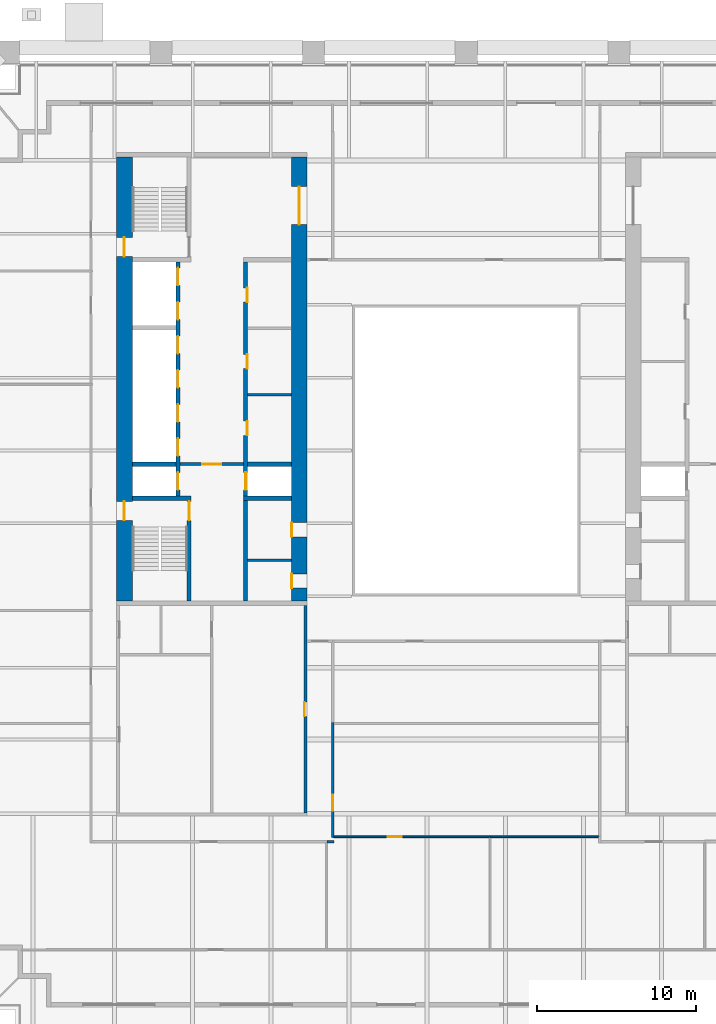
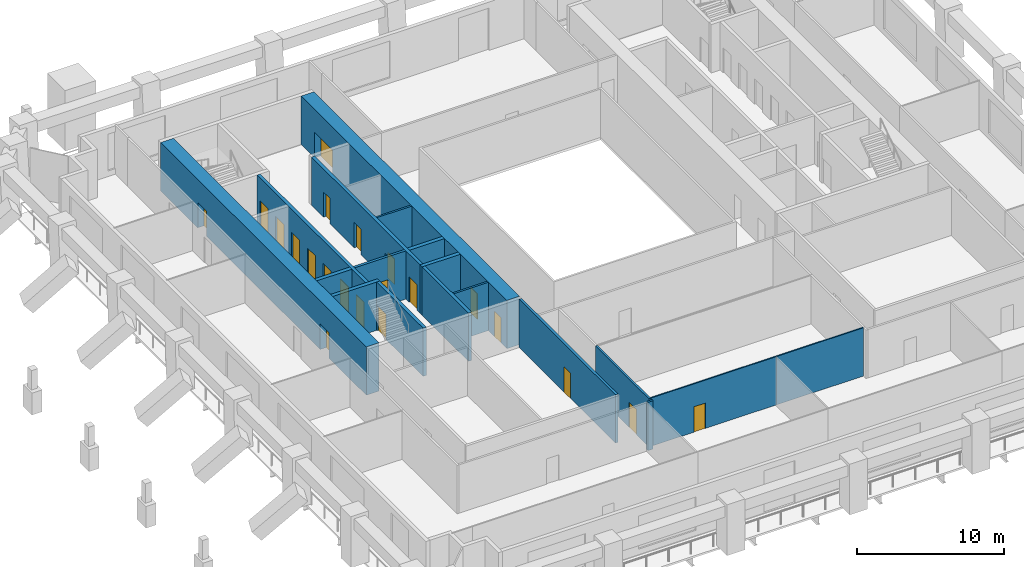
# One storey, part 4 of 10: 21 doors, 17 walls, 21 openings.
"""IFC4 building model written with IfcOpenShell, lengths in metres."""

from ifc_helpers import new_model, si_unit, direction, frame, frame_2d, origin, place, context, subcontext, project, spatial, rectangle, extrude, material, layer, layer_set, type_object, element, fill, save


model = new_model("IFC4")

# Units and contexts
model_context = context("Model", 3, precision=1e-05, world=origin(), true_north=direction((0.0, 1.0)))
body_context = subcontext(model_context, "Body", "Model", "MODEL_VIEW")
ifc_project = project(units=[si_unit("LENGTHUNIT", "METRE"), si_unit("AREAUNIT", "SQUARE_METRE"), si_unit("VOLUMEUNIT", "CUBIC_METRE"), si_unit("PLANEANGLEUNIT", "RADIAN"), si_unit("MASSUNIT", "GRAM", prefix="KILO")], contexts=[model_context])

# Site, building, storey
site_placement = place(None, origin())
site = spatial("IfcSite", under=ifc_project, at=site_placement, CompositionType="ELEMENT")
building_placement = place(site_placement, origin())
building = spatial("IfcBuilding", under=site, at=building_placement, Name="Ogive Exchange Tower", CompositionType="ELEMENT")
storey_placement = place(building_placement, frame((0.0, 0.0, 39.60009765625)))
storey = spatial("IfcBuildingStorey", under=building, at=storey_placement, Name="L07", CompositionType="ELEMENT", Elevation=39.60009765625)

# Walls
ifc_material_1 = material(Name="Gypsum board partition")
ifc_layer_1 = layer(ifc_material_1, 0.14990234375)
ifc_layer_set_1 = layer_set([ifc_layer_1], Name="Core room partition 150 gypsum")
wall_type_1 = type_object("IfcWallType", Name="Core room partition 150 gypsum", PredefinedType="PARTITIONING", material=ifc_layer_set_1)
for number, where, z_axis, x_axis, name in (
    (1, (-13.75, 10.5, 0.0), (0.0, 0.0, 1.0), (1.0, 0.0, 0.0), "W row B bay partition 1-1"),
    (2, (-13.75, 0.10009765625, 0.0), (0.0, 0.0, 1.0), (1.0, 0.0, 0.0), "W south room partition"),
):
    element("IfcWall", number, at=place(storey_placement, frame(where, z_axis=z_axis, x_axis=x_axis)), inside=storey, type_object=wall_type_1, Name=name, PredefinedType="PARTITIONING", context=body_context, shape_type="SweptSolid", body=[
        extrude(rectangle(XDim=2.75, YDim=0.14990234375, at=frame_2d((1.375, 0.0))), origin(), (0.0, 0.0, 1.0), 4.0),
    ])
ifc_material_2 = material(Name="Fire partition EI 60 150")
ifc_layer_2 = layer(ifc_material_2, 0.14990234375)
ifc_layer_set_2 = layer_set([ifc_layer_2], Name="Fire partition EI 60 150")
wall_type_2 = type_object("IfcWallType", Name="Fire partition EI 60 150", PredefinedType="PARTITIONING", material=ifc_layer_set_2)
wall_1_placement = place(storey_placement, frame((-8.324951171875, -17.60009765625, 0.0), z_axis=(0.0, 0.0, 1.0), x_axis=(-1.0, 0.0, 0.0)))
element("IfcWall", 3, at=wall_1_placement, inside=storey, type_object=wall_type_2, Name="L07-PWL-017", PredefinedType="PARTITIONING", context=body_context, shape_type="SweptSolid", body=[
    extrude(rectangle(XDim=0.425048828125, YDim=0.14990234375, at=frame_2d((0.21240234375, 0.0))), origin(), (0.0, 0.0, 1.0), 4.0),
])

# Wall, opening, door
wall_2_placement = place(storey_placement, frame((-8.39990234375, -10.1201171875, 0.0), z_axis=(0.0, 0.0, 1.0), x_axis=(0.0, -1.0, 0.0)))
wall_2 = element("IfcWall", 4, at=wall_2_placement, inside=storey, type_object=wall_type_2, Name="L07-PWL-018", PredefinedType="PARTITIONING", context=body_context, shape_type="SweptSolid", body=[
    extrude(rectangle(XDim=7.219970703125, YDim=0.14990234375, at=frame_2d((3.60986328125, 0.0))), origin(), (0.0, 0.0, 1.0), 4.0),
])
opening_1_placement = place(wall_2_placement, frame((4.52001953125, 0.0, 0.0)))
opening_1 = element("IfcOpeningElement", 5, at=opening_1_placement, cuts=wall_2, Name="Opening L07-I12", PredefinedType="OPENING", context=body_context, shape_type="SweptSolid", body=[
    extrude(rectangle(XDim=1.0, YDim=2.10009765625, at=frame_2d((0.5, 1.050048828125))), frame((0.0, 0.0849609375, 0.0), z_axis=(0.0, -1.0, 0.0), x_axis=(1.0, 0.0, 0.0)), (0.0, 0.0, 1.0), 0.169921875),
])
ifc_material_3 = material(Name="Fire door FD 30S 1000 x 2100")
door_type_1 = type_object("IfcDoorType", Name="Fire door FD 30S 1000 x 2100", OperationType="NOTDEFINED", PredefinedType="DOOR", material=ifc_material_3)
door_1_placement = place(opening_1_placement, origin())
door_1 = element("IfcDoor", 6, at=door_1_placement, inside=storey, type_object=door_type_1, Name="L07-IDR-012", ObjectType="DT3", OperationType="SINGLE_SWING_LEFT", OverallHeight=2.10009765625, OverallWidth=1.0, PredefinedType="DOOR", context=body_context, shape_type="SweptSolid", body=[
    extrude(rectangle(XDim=1.0, YDim=2.10009765625, at=frame_2d((0.5, 1.050048828125))), frame((0.0, 0.02490234375, 0.0), z_axis=(0.0, -1.0, 0.0), x_axis=(1.0, 0.0, 0.0)), (0.0, 0.0, 1.0), 0.050048828125),
])
fill(opening_1, door_1)

ifc_material_4 = material(Name="Partition 100 gypsum")
ifc_layer_3 = layer(ifc_material_4, 0.10009765625)
ifc_layer_set_3 = layer_set([ifc_layer_3], Name="Partition 100 gypsum")
wall_type_3 = type_object("IfcWallType", Name="Partition 100 gypsum", PredefinedType="PARTITIONING", material=ifc_layer_set_3)
wall_3_placement = place(storey_placement, frame((1.550048828125, -17.2900390625, 0.0), z_axis=(0.0, 0.0, 1.0), x_axis=(-1.0, 0.0, 0.0)))
wall_3 = element("IfcWall", 7, at=wall_3_placement, inside=storey, type_object=wall_type_3, Name="L07-PWL-023", PredefinedType="PARTITIONING", context=body_context, shape_type="SweptSolid", body=[
    extrude(rectangle(XDim=9.875, YDim=0.10009765625, at=frame_2d((4.9375, 0.0))), origin(), (0.0, 0.0, 1.0), 4.0),
])
opening_2_placement = place(wall_3_placement, frame((5.60009765625, 0.0, 0.0)))
opening_2 = element("IfcOpeningElement", 8, at=opening_2_placement, cuts=wall_3, Name="Opening L07-I13", PredefinedType="OPENING", context=body_context, shape_type="SweptSolid", body=[
    extrude(rectangle(XDim=0.89990234375, YDim=2.10009765625, at=frame_2d((0.449951171875, 1.050048828125))), frame((0.0, 0.06005859375, 0.0), z_axis=(0.0, -1.0, 0.0), x_axis=(1.0, 0.0, 0.0)), (0.0, 0.0, 1.0), 0.1201171875),
])
ifc_material_5 = material(Name="Door 900 x 2100")
door_type_2 = type_object("IfcDoorType", Name="Door 900 x 2100", OperationType="NOTDEFINED", PredefinedType="DOOR", material=ifc_material_5)
door_2_placement = place(opening_2_placement, origin())
door_2 = element("IfcDoor", 9, at=door_2_placement, inside=storey, type_object=door_type_2, Name="L07-IDR-013", ObjectType="DT1", OperationType="SINGLE_SWING_RIGHT", OverallHeight=2.10009765625, OverallWidth=0.89990234375, PredefinedType="DOOR", context=body_context, shape_type="SweptSolid", body=[
    extrude(rectangle(XDim=0.89990234375, YDim=2.10009765625, at=frame_2d((0.449951171875, 1.050048828125))), frame((0.0, 0.02490234375, 0.0), z_axis=(0.0, -1.0, 0.0), x_axis=(1.0, 0.0, 0.0)), (0.0, 0.0, 1.0), 0.050048828125),
])
fill(opening_2, door_2)

# Wall
wall_4_placement = place(storey_placement, frame((8.324951171875, -17.2900390625, 0.0), z_axis=(0.0, 0.0, 1.0), x_axis=(-1.0, 0.0, 0.0)))
element("IfcWall", 10, at=wall_4_placement, inside=storey, type_object=wall_type_3, Name="L07-PWL-026", PredefinedType="PARTITIONING", context=body_context, shape_type="SweptSolid", body=[
    extrude(rectangle(XDim=6.824951171875, YDim=0.10009765625, at=frame_2d((3.41259765625, 0.0))), origin(), (0.0, 0.0, 1.0), 4.0),
])

# Wall, openings, doors
ifc_material_6 = material(Name="Concrete C70/85", Category="concrete")
ifc_layer_4 = layer(ifc_material_6, 1.0)
ifc_layer_set_4 = layer_set([ifc_layer_4], Name="RC core wall 1000 C70/85")
wall_type_4 = type_object("IfcWallType", Name="RC core wall 1000 C70/85", PredefinedType="SHEAR", material=ifc_layer_set_4)
wall_5_placement = place(storey_placement, frame((-21.5, -2.449951171875, 0.0), z_axis=(0.0, 0.0, 1.0), x_axis=(0.0, 1.0, 0.0)))
wall_5 = element("IfcWall", 11, at=wall_5_placement, inside=storey, type_object=wall_type_4, Name="W outer wall", PredefinedType="SHEAR", context=body_context, shape_type="SweptSolid", body=[
    extrude(rectangle(XDim=27.89990234375, YDim=1.0, at=frame_2d((13.949951171875, 0.0))), origin(), (0.0, 0.0, 1.0), 4.0),
])
opening_3_placement = place(wall_5_placement, frame((5.050048828125, 0.0, 0.0)))
opening_3 = element("IfcOpeningElement", 12, at=opening_3_placement, cuts=wall_5, Name="Opening L07-C15", PredefinedType="OPENING", context=body_context, shape_type="SweptSolid", body=[
    extrude(rectangle(XDim=1.199951171875, YDim=2.10009765625, at=frame_2d((0.60009765625, 1.050048828125))), frame((0.0, 0.510009765625, 0.0), z_axis=(0.0, -1.0, 0.0), x_axis=(1.0, 0.0, 0.0)), (0.0, 0.0, 1.0), 1.02001953125),
])
opening_4_placement = place(wall_5_placement, frame((21.64990234375, 0.0, 0.0)))
opening_4 = element("IfcOpeningElement", 13, at=opening_4_placement, cuts=wall_5, Name="Opening L07-C17", PredefinedType="OPENING", context=body_context, shape_type="SweptSolid", body=[
    extrude(rectangle(XDim=1.199951171875, YDim=2.10009765625, at=frame_2d((0.60009765625, 1.050048828125))), frame((0.0, 0.510009765625, 0.0), z_axis=(0.0, -1.0, 0.0), x_axis=(1.0, 0.0, 0.0)), (0.0, 0.0, 1.0), 1.02001953125),
])
ifc_material_7 = material(Name="Steel fire door", Category="steel")
door_type_3 = type_object("IfcDoorType", Name="Stair door FD90 1200 x 2100", OperationType="NOTDEFINED", PredefinedType="DOOR", material=ifc_material_7)
door_3_placement = place(opening_3_placement, frame((1.199951171875, 0.0, 0.0), z_axis=(0.0, 0.0, 1.0), x_axis=(-1.0, 0.0, 0.0)))
door_3 = element("IfcDoor", 14, at=door_3_placement, inside=storey, type_object=door_type_3, Name="Stair door", ObjectType="CD5", OperationType="SINGLE_SWING_RIGHT", OverallHeight=2.10009765625, OverallWidth=1.199951171875, PredefinedType="DOOR", context=body_context, shape_type="SweptSolid", body=[
    extrude(rectangle(XDim=1.199951171875, YDim=2.10009765625, at=frame_2d((0.60009765625, 1.050048828125))), frame((0.0, 0.02490234375, 0.0), z_axis=(0.0, -1.0, 0.0), x_axis=(1.0, 0.0, 0.0)), (0.0, 0.0, 1.0), 0.050048828125),
])
fill(opening_3, door_3)
door_4_placement = place(opening_4_placement, frame((1.199951171875, 0.0, 0.0), z_axis=(0.0, 0.0, 1.0), x_axis=(-1.0, 0.0, 0.0)))
door_4 = element("IfcDoor", 15, at=door_4_placement, inside=storey, type_object=door_type_3, Name="Stair door", ObjectType="CD5", OperationType="SINGLE_SWING_LEFT", OverallHeight=2.10009765625, OverallWidth=1.199951171875, PredefinedType="DOOR", context=body_context, shape_type="SweptSolid", body=[
    extrude(rectangle(XDim=1.199951171875, YDim=2.10009765625, at=frame_2d((0.60009765625, 1.050048828125))), frame((0.0, 0.02490234375, 0.0), z_axis=(0.0, -1.0, 0.0), x_axis=(1.0, 0.0, 0.0)), (0.0, 0.0, 1.0), 0.050048828125),
])
fill(opening_4, door_4)

wall_6_placement = place(storey_placement, frame((-10.5, -2.449951171875, 0.0), z_axis=(0.0, 0.0, 1.0), x_axis=(0.0, 1.0, 0.0)))
wall_6 = element("IfcWall", 16, at=wall_6_placement, inside=storey, type_object=wall_type_4, Name="W inner wall", PredefinedType="SHEAR", context=body_context, shape_type="SweptSolid", body=[
    extrude(rectangle(XDim=27.89990234375, YDim=1.0, at=frame_2d((13.949951171875, 0.0))), origin(), (0.0, 0.0, 1.0), 4.0),
])
opening_5_placement = place(wall_6_placement, frame((23.64990234375, 0.0, 0.0)))
opening_5 = element("IfcOpeningElement", 17, at=opening_5_placement, cuts=wall_6, Name="Opening L07-C13", PredefinedType="OPENING", context=body_context, shape_type="SweptSolid", body=[
    extrude(rectangle(XDim=2.39990234375, YDim=2.10009765625, at=frame_2d((1.199951171875, 1.050048828125))), frame((0.0, 0.510009765625, 0.0), z_axis=(0.0, -1.0, 0.0), x_axis=(1.0, 0.0, 0.0)), (0.0, 0.0, 1.0), 1.02001953125),
])
opening_6_placement = place(wall_6_placement, frame((0.78759765625, 0.0, 0.0)))
opening_6 = element("IfcOpeningElement", 18, at=opening_6_placement, cuts=wall_6, Name="Opening L07-C18", PredefinedType="OPENING", context=body_context, shape_type="SweptSolid", body=[
    extrude(rectangle(XDim=0.89990234375, YDim=2.10009765625, at=frame_2d((0.449951171875, 1.050048828125))), frame((0.0, 0.510009765625, 0.0), z_axis=(0.0, -1.0, 0.0), x_axis=(1.0, 0.0, 0.0)), (0.0, 0.0, 1.0), 1.02001953125),
])
opening_7_placement = place(wall_6_placement, frame((4.012451171875, 0.0, 0.0)))
opening_7 = element("IfcOpeningElement", 19, at=opening_7_placement, cuts=wall_6, Name="Opening L07-C19", PredefinedType="OPENING", context=body_context, shape_type="SweptSolid", body=[
    extrude(rectangle(XDim=0.89990234375, YDim=2.10009765625, at=frame_2d((0.449951171875, 1.050048828125))), frame((0.0, 0.510009765625, 0.0), z_axis=(0.0, -1.0, 0.0), x_axis=(1.0, 0.0, 0.0)), (0.0, 0.0, 1.0), 1.02001953125),
])
ifc_material_8 = material(Name="Timber fire door", Category="wood")
door_type_4 = type_object("IfcDoorType", Name="Core room door FD30S 900 x 2100", OperationType="NOTDEFINED", PredefinedType="DOOR", material=ifc_material_8)
door_5_placement = place(opening_6_placement, origin())
door_5 = element("IfcDoor", 20, at=door_5_placement, inside=storey, type_object=door_type_4, Name="Core room door", ObjectType="CD6", OperationType="SINGLE_SWING_RIGHT", OverallHeight=2.10009765625, OverallWidth=0.89990234375, PredefinedType="DOOR", context=body_context, shape_type="SweptSolid", body=[
    extrude(rectangle(XDim=0.89990234375, YDim=2.10009765625, at=frame_2d((0.449951171875, 1.050048828125))), frame((0.0, 0.5, 0.0), z_axis=(0.0, -1.0, 0.0), x_axis=(1.0, 0.0, 0.0)), (0.0, 0.0, 1.0), 0.050048828125),
])
fill(opening_6, door_5)
ifc_material_9 = material(Name="Glazed steel fire door", Category="steel")
door_type_5 = type_object("IfcDoorType", Name="Lift lobby double door FD60 2400 x 2100", OperationType="DOUBLE_DOOR_SINGLE_SWING", PredefinedType="DOOR", material=ifc_material_9)
door_6_placement = place(opening_5_placement, origin())
door_6 = element("IfcDoor", 21, at=door_6_placement, inside=storey, type_object=door_type_5, Name="Lift lobby double door", ObjectType="CD4", OperationType="DOUBLE_DOOR_SINGLE_SWING", OverallHeight=2.10009765625, OverallWidth=2.39990234375, PredefinedType="DOOR", context=body_context, shape_type="SweptSolid", body=[
    extrude(rectangle(XDim=2.39990234375, YDim=2.10009765625, at=frame_2d((1.199951171875, 1.050048828125))), frame((0.0, 0.02490234375, 0.0), z_axis=(0.0, -1.0, 0.0), x_axis=(1.0, 0.0, 0.0)), (0.0, 0.0, 1.0), 0.050048828125),
])
fill(opening_5, door_6)
door_type_6 = type_object("IfcDoorType", Name="Riser door FD60 900 x 2100", OperationType="NOTDEFINED", PredefinedType="DOOR", material=ifc_material_7)
door_7_placement = place(opening_7_placement, origin())
door_7 = element("IfcDoor", 22, at=door_7_placement, inside=storey, type_object=door_type_6, Name="Riser door", ObjectType="CD2", OperationType="SINGLE_SWING_RIGHT", OverallHeight=2.10009765625, OverallWidth=0.89990234375, PredefinedType="DOOR", context=body_context, shape_type="SweptSolid", body=[
    extrude(rectangle(XDim=0.89990234375, YDim=2.10009765625, at=frame_2d((0.449951171875, 1.050048828125))), frame((0.0, 0.5, 0.0), z_axis=(0.0, -1.0, 0.0), x_axis=(1.0, 0.0, 0.0)), (0.0, 0.0, 1.0), 0.050048828125),
])
fill(opening_7, door_7)

# Wall, opening, door
ifc_layer_5 = layer(ifc_material_6, 0.199951171875)
ifc_layer_set_5 = layer_set([ifc_layer_5], Name="RC core wall 200 C70/85")
wall_type_5 = type_object("IfcWallType", Name="RC core wall 200 C70/85", PredefinedType="SHEAR", material=ifc_layer_set_5)
wall_7_placement = place(storey_placement, frame((-18.0, 6.142822265625, 0.0), z_axis=(0.0, 0.0, 1.0), x_axis=(1.0, 0.0, 0.0)))
wall_7 = element("IfcWall", 23, at=wall_7_placement, inside=storey, type_object=wall_type_5, Name="W firefighting lobby wall", PredefinedType="SHEAR", context=body_context, shape_type="SweptSolid", body=[
    extrude(rectangle(XDim=4.0, YDim=0.199951171875, at=frame_2d((2.0, 0.0))), origin(), (0.0, 0.0, 1.0), 4.0),
])
opening_8_placement = place(wall_7_placement, frame((1.39990234375, 0.0, 0.0)))
opening_8 = element("IfcOpeningElement", 24, at=opening_8_placement, cuts=wall_7, Name="Opening L07-C12", PredefinedType="OPENING", context=body_context, shape_type="SweptSolid", body=[
    extrude(rectangle(XDim=1.199951171875, YDim=2.10009765625, at=frame_2d((0.60009765625, 1.050048828125))), frame((0.0, 0.10986328125, 0.0), z_axis=(0.0, -1.0, 0.0), x_axis=(1.0, 0.0, 0.0)), (0.0, 0.0, 1.0), 0.219970703125),
])
door_type_7 = type_object("IfcDoorType", Name="Firefighting lobby door FD60 1200 x 2100", OperationType="NOTDEFINED", PredefinedType="DOOR", material=ifc_material_7)
door_8_placement = place(opening_8_placement, frame((1.199951171875, 0.0, 0.0), z_axis=(0.0, 0.0, 1.0), x_axis=(-1.0, 0.0, 0.0)))
door_8 = element("IfcDoor", 25, at=door_8_placement, inside=storey, type_object=door_type_7, Name="Firefighting lobby door", ObjectType="CD3", OperationType="SINGLE_SWING_LEFT", OverallHeight=2.10009765625, OverallWidth=1.199951171875, PredefinedType="DOOR", context=body_context, shape_type="SweptSolid", body=[
    extrude(rectangle(XDim=1.199951171875, YDim=2.10009765625, at=frame_2d((0.60009765625, 1.050048828125))), frame((0.0, 0.02490234375, 0.0), z_axis=(0.0, -1.0, 0.0), x_axis=(1.0, 0.0, 0.0)), (0.0, 0.0, 1.0), 0.050048828125),
])
fill(opening_8, door_8)

wall_8_placement = place(storey_placement, frame((-10.10009765625, -15.800048828125, 0.0), z_axis=(0.0, 0.0, 1.0), x_axis=(0.0, 1.0, 0.0)))
wall_8 = element("IfcWall", 26, at=wall_8_placement, inside=storey, type_object=wall_type_5, Name="W annex S inner wall", PredefinedType="SHEAR", context=body_context, shape_type="SweptSolid", body=[
    extrude(rectangle(XDim=13.050048828125, YDim=0.199951171875, at=frame_2d((6.52490234375, 0.0))), origin(), (0.0, 0.0, 1.0), 4.0),
])
opening_9_placement = place(wall_8_placement, frame((6.074951171875, 0.0, 0.0)))
opening_9 = element("IfcOpeningElement", 27, at=opening_9_placement, cuts=wall_8, Name="Opening L07-C23", PredefinedType="OPENING", context=body_context, shape_type="SweptSolid", body=[
    extrude(rectangle(XDim=0.89990234375, YDim=2.10009765625, at=frame_2d((0.449951171875, 1.050048828125))), frame((0.0, 0.10986328125, 0.0), z_axis=(0.0, -1.0, 0.0), x_axis=(1.0, 0.0, 0.0)), (0.0, 0.0, 1.0), 0.219970703125),
])
door_9_placement = place(opening_9_placement, origin())
door_9 = element("IfcDoor", 28, at=door_9_placement, inside=storey, type_object=door_type_6, Name="Riser door", ObjectType="CD2", OperationType="SINGLE_SWING_LEFT", OverallHeight=2.10009765625, OverallWidth=0.89990234375, PredefinedType="DOOR", context=body_context, shape_type="SweptSolid", body=[
    extrude(rectangle(XDim=0.89990234375, YDim=2.10009765625, at=frame_2d((0.449951171875, 1.050048828125))), frame((0.0, 0.10009765625, 0.0), z_axis=(0.0, -1.0, 0.0), x_axis=(1.0, 0.0, 0.0)), (0.0, 0.0, 1.0), 0.050048828125),
])
fill(opening_9, door_9)

ifc_layer_6 = layer(ifc_material_6, 0.25)
ifc_layer_set_6 = layer_set([ifc_layer_6], Name="RC core wall 250 C70/85")
wall_type_6 = type_object("IfcWallType", Name="RC core wall 250 C70/85", PredefinedType="SHEAR", material=ifc_layer_set_6)
wall_9_placement = place(storey_placement, frame((-17.425048828125, -2.449951171875, 0.0), z_axis=(0.0, 0.0, 1.0), x_axis=(0.0, 1.0, 0.0)))
wall_9 = element("IfcWall", 29, at=wall_9_placement, inside=storey, type_object=wall_type_6, Name="W stair S front wall", PredefinedType="SHEAR", context=body_context, shape_type="SweptSolid", body=[
    extrude(rectangle(XDim=6.300048828125, YDim=0.25, at=frame_2d((3.14990234375, 0.0))), origin(), (0.0, 0.0, 1.0), 4.0),
])
opening_10_placement = place(wall_9_placement, frame((5.050048828125, 0.0, 0.0)))
opening_10 = element("IfcOpeningElement", 30, at=opening_10_placement, cuts=wall_9, Name="Opening L07-C14", PredefinedType="OPENING", context=body_context, shape_type="SweptSolid", body=[
    extrude(rectangle(XDim=1.199951171875, YDim=2.10009765625, at=frame_2d((0.60009765625, 1.050048828125))), frame((0.0, 0.135009765625, 0.0), z_axis=(0.0, -1.0, 0.0), x_axis=(1.0, 0.0, 0.0)), (0.0, 0.0, 1.0), 0.27001953125),
])
door_10_placement = place(opening_10_placement, origin())
door_10 = element("IfcDoor", 31, at=door_10_placement, inside=storey, type_object=door_type_3, Name="Stair door", ObjectType="CD5", OperationType="SINGLE_SWING_LEFT", OverallHeight=2.10009765625, OverallWidth=1.199951171875, PredefinedType="DOOR", context=body_context, shape_type="SweptSolid", body=[
    extrude(rectangle(XDim=1.199951171875, YDim=2.10009765625, at=frame_2d((0.60009765625, 1.050048828125))), frame((0.0, 0.02490234375, 0.0), z_axis=(0.0, -1.0, 0.0), x_axis=(1.0, 0.0, 0.0)), (0.0, 0.0, 1.0), 0.050048828125),
])
fill(opening_10, door_10)

# Wall, openings, doors
wall_10_placement = place(storey_placement, frame((-18.125, 4.14990234375, 0.0), z_axis=(0.0, 0.0, 1.0), x_axis=(0.0, 1.0, 0.0)))
wall_10 = element("IfcWall", 32, at=wall_10_placement, inside=storey, type_object=wall_type_6, Name="W row A front wall", PredefinedType="SHEAR", context=body_context, shape_type="SweptSolid", body=[
    extrude(rectangle(XDim=14.7001953125, YDim=0.25, at=frame_2d((7.35009765625, 0.0))), origin(), (0.0, 0.0, 1.0), 4.0),
])
opening_11_placement = place(wall_10_placement, frame((0.371337890625, 0.0, 0.0)))
opening_11 = element("IfcOpeningElement", 33, at=opening_11_placement, cuts=wall_10, Name="Opening L07-C01", PredefinedType="OPENING", context=body_context, shape_type="SweptSolid", body=[
    extrude(rectangle(XDim=1.10009765625, YDim=2.10009765625, at=frame_2d((0.550048828125, 1.050048828125))), frame((0.0, 0.135009765625, 0.0), z_axis=(0.0, -1.0, 0.0), x_axis=(1.0, 0.0, 0.0)), (0.0, 0.0, 1.0), 0.27001953125),
])
opening_12_placement = place(wall_10_placement, frame((2.514404296875, 0.0, 0.0)))
opening_12 = element("IfcOpeningElement", 34, at=opening_12_placement, cuts=wall_10, Name="Opening L07-C02", PredefinedType="OPENING", context=body_context, shape_type="SweptSolid", body=[
    extrude(rectangle(XDim=1.10009765625, YDim=2.10009765625, at=frame_2d((0.550048828125, 1.050048828125))), frame((0.0, 0.135009765625, 0.0), z_axis=(0.0, -1.0, 0.0), x_axis=(1.0, 0.0, 0.0)), (0.0, 0.0, 1.0), 0.27001953125),
])
opening_13_placement = place(wall_10_placement, frame((4.656982421875, 0.0, 0.0)))
opening_13 = element("IfcOpeningElement", 35, at=opening_13_placement, cuts=wall_10, Name="Opening L07-C03", PredefinedType="OPENING", context=body_context, shape_type="SweptSolid", body=[
    extrude(rectangle(XDim=1.10009765625, YDim=2.10009765625, at=frame_2d((0.550048828125, 1.050048828125))), frame((0.0, 0.135009765625, 0.0), z_axis=(0.0, -1.0, 0.0), x_axis=(1.0, 0.0, 0.0)), (0.0, 0.0, 1.0), 0.27001953125),
])
opening_14_placement = place(wall_10_placement, frame((6.800048828125, 0.0, 0.0)))
opening_14 = element("IfcOpeningElement", 36, at=opening_14_placement, cuts=wall_10, Name="Opening L07-C04", PredefinedType="OPENING", context=body_context, shape_type="SweptSolid", body=[
    extrude(rectangle(XDim=1.10009765625, YDim=2.10009765625, at=frame_2d((0.550048828125, 1.050048828125))), frame((0.0, 0.135009765625, 0.0), z_axis=(0.0, -1.0, 0.0), x_axis=(1.0, 0.0, 0.0)), (0.0, 0.0, 1.0), 0.27001953125),
])
opening_15_placement = place(wall_10_placement, frame((8.94287109375, 0.0, 0.0)))
opening_15 = element("IfcOpeningElement", 37, at=opening_15_placement, cuts=wall_10, Name="Opening L07-C05", PredefinedType="OPENING", context=body_context, shape_type="SweptSolid", body=[
    extrude(rectangle(XDim=1.10009765625, YDim=2.10009765625, at=frame_2d((0.550048828125, 1.050048828125))), frame((0.0, 0.135009765625, 0.0), z_axis=(0.0, -1.0, 0.0), x_axis=(1.0, 0.0, 0.0)), (0.0, 0.0, 1.0), 0.27001953125),
])
opening_16_placement = place(wall_10_placement, frame((11.085693359375, 0.0, 0.0)))
opening_16 = element("IfcOpeningElement", 38, at=opening_16_placement, cuts=wall_10, Name="Opening L07-C06", PredefinedType="OPENING", context=body_context, shape_type="SweptSolid", body=[
    extrude(rectangle(XDim=1.10009765625, YDim=2.10009765625, at=frame_2d((0.550048828125, 1.050048828125))), frame((0.0, 0.135009765625, 0.0), z_axis=(0.0, -1.0, 0.0), x_axis=(1.0, 0.0, 0.0)), (0.0, 0.0, 1.0), 0.27001953125),
])
opening_17_placement = place(wall_10_placement, frame((13.228515625, 0.0, 0.0)))
opening_17 = element("IfcOpeningElement", 39, at=opening_17_placement, cuts=wall_10, Name="Opening L07-C07", PredefinedType="OPENING", context=body_context, shape_type="SweptSolid", body=[
    extrude(rectangle(XDim=1.10009765625, YDim=2.10009765625, at=frame_2d((0.550048828125, 1.050048828125))), frame((0.0, 0.135009765625, 0.0), z_axis=(0.0, -1.0, 0.0), x_axis=(1.0, 0.0, 0.0)), (0.0, 0.0, 1.0), 0.27001953125),
])
ifc_material_10 = material(Name="Stainless steel", Category="steel")
door_type_8 = type_object("IfcDoorType", Name="Lift landing door FD90 1100 x 2100", OperationType="SLIDING_TO_LEFT", PredefinedType="DOOR", material=ifc_material_10)
door_11_placement = place(opening_11_placement, origin())
door_11 = element("IfcDoor", 40, at=door_11_placement, inside=storey, type_object=door_type_8, Name="Lift landing door FF1", ObjectType="LD", OperationType="SLIDING_TO_LEFT", OverallHeight=2.10009765625, OverallWidth=1.10009765625, PredefinedType="DOOR", context=body_context, shape_type="SweptSolid", body=[
    extrude(rectangle(XDim=1.10009765625, YDim=2.10009765625, at=frame_2d((0.550048828125, 1.050048828125))), frame((0.0, 0.02490234375, 0.0), z_axis=(0.0, -1.0, 0.0), x_axis=(1.0, 0.0, 0.0)), (0.0, 0.0, 1.0), 0.050048828125),
])
fill(opening_11, door_11)
door_12_placement = place(opening_12_placement, origin())
door_12 = element("IfcDoor", 41, at=door_12_placement, inside=storey, type_object=door_type_8, Name="Lift landing door W-L1", ObjectType="LD", OperationType="SLIDING_TO_LEFT", OverallHeight=2.10009765625, OverallWidth=1.10009765625, PredefinedType="DOOR", context=body_context, shape_type="SweptSolid", body=[
    extrude(rectangle(XDim=1.10009765625, YDim=2.10009765625, at=frame_2d((0.550048828125, 1.050048828125))), frame((0.0, 0.02490234375, 0.0), z_axis=(0.0, -1.0, 0.0), x_axis=(1.0, 0.0, 0.0)), (0.0, 0.0, 1.0), 0.050048828125),
])
fill(opening_12, door_12)
door_13_placement = place(opening_13_placement, origin())
door_13 = element("IfcDoor", 42, at=door_13_placement, inside=storey, type_object=door_type_8, Name="Lift landing door W-L2", ObjectType="LD", OperationType="SLIDING_TO_LEFT", OverallHeight=2.10009765625, OverallWidth=1.10009765625, PredefinedType="DOOR", context=body_context, shape_type="SweptSolid", body=[
    extrude(rectangle(XDim=1.10009765625, YDim=2.10009765625, at=frame_2d((0.550048828125, 1.050048828125))), frame((0.0, 0.02490234375, 0.0), z_axis=(0.0, -1.0, 0.0), x_axis=(1.0, 0.0, 0.0)), (0.0, 0.0, 1.0), 0.050048828125),
])
fill(opening_13, door_13)
door_14_placement = place(opening_14_placement, origin())
door_14 = element("IfcDoor", 43, at=door_14_placement, inside=storey, type_object=door_type_8, Name="Lift landing door W-L3", ObjectType="LD", OperationType="SLIDING_TO_LEFT", OverallHeight=2.10009765625, OverallWidth=1.10009765625, PredefinedType="DOOR", context=body_context, shape_type="SweptSolid", body=[
    extrude(rectangle(XDim=1.10009765625, YDim=2.10009765625, at=frame_2d((0.550048828125, 1.050048828125))), frame((0.0, 0.02490234375, 0.0), z_axis=(0.0, -1.0, 0.0), x_axis=(1.0, 0.0, 0.0)), (0.0, 0.0, 1.0), 0.050048828125),
])
fill(opening_14, door_14)
door_15_placement = place(opening_15_placement, origin())
door_15 = element("IfcDoor", 44, at=door_15_placement, inside=storey, type_object=door_type_8, Name="Lift landing door W-L4", ObjectType="LD", OperationType="SLIDING_TO_LEFT", OverallHeight=2.10009765625, OverallWidth=1.10009765625, PredefinedType="DOOR", context=body_context, shape_type="SweptSolid", body=[
    extrude(rectangle(XDim=1.10009765625, YDim=2.10009765625, at=frame_2d((0.550048828125, 1.050048828125))), frame((0.0, 0.02490234375, 0.0), z_axis=(0.0, -1.0, 0.0), x_axis=(1.0, 0.0, 0.0)), (0.0, 0.0, 1.0), 0.050048828125),
])
fill(opening_15, door_15)
door_16_placement = place(opening_16_placement, origin())
door_16 = element("IfcDoor", 45, at=door_16_placement, inside=storey, type_object=door_type_8, Name="Lift landing door W-SH1", ObjectType="LD", OperationType="SLIDING_TO_LEFT", OverallHeight=2.10009765625, OverallWidth=1.10009765625, PredefinedType="DOOR", context=body_context, shape_type="SweptSolid", body=[
    extrude(rectangle(XDim=1.10009765625, YDim=2.10009765625, at=frame_2d((0.550048828125, 1.050048828125))), frame((0.0, 0.02490234375, 0.0), z_axis=(0.0, -1.0, 0.0), x_axis=(1.0, 0.0, 0.0)), (0.0, 0.0, 1.0), 0.050048828125),
])
fill(opening_16, door_16)
door_17_placement = place(opening_17_placement, origin())
door_17 = element("IfcDoor", 46, at=door_17_placement, inside=storey, type_object=door_type_8, Name="Lift landing door W-SH2", ObjectType="LD", OperationType="SLIDING_TO_LEFT", OverallHeight=2.10009765625, OverallWidth=1.10009765625, PredefinedType="DOOR", context=body_context, shape_type="SweptSolid", body=[
    extrude(rectangle(XDim=1.10009765625, YDim=2.10009765625, at=frame_2d((0.550048828125, 1.050048828125))), frame((0.0, 0.02490234375, 0.0), z_axis=(0.0, -1.0, 0.0), x_axis=(1.0, 0.0, 0.0)), (0.0, 0.0, 1.0), 0.050048828125),
])
fill(opening_17, door_17)

wall_11_placement = place(storey_placement, frame((-13.875, -2.449951171875, 0.0), z_axis=(0.0, 0.0, 1.0), x_axis=(0.0, 1.0, 0.0)))
wall_11 = element("IfcWall", 47, at=wall_11_placement, inside=storey, type_object=wall_type_6, Name="W row B front wall", PredefinedType="SHEAR", context=body_context, shape_type="SweptSolid", body=[
    extrude(rectangle(XDim=21.300048828125, YDim=0.25, at=frame_2d((10.64990234375, 0.0))), origin(), (0.0, 0.0, 1.0), 4.0),
])
opening_18_placement = place(wall_11_placement, frame((10.396484375, 0.0, 0.0)))
opening_18 = element("IfcOpeningElement", 48, at=opening_18_placement, cuts=wall_11, Name="Opening L07-C08", PredefinedType="OPENING", context=body_context, shape_type="SweptSolid", body=[
    extrude(rectangle(XDim=0.89990234375, YDim=2.10009765625, at=frame_2d((0.449951171875, 1.050048828125))), frame((0.0, 0.135009765625, 0.0), z_axis=(0.0, -1.0, 0.0), x_axis=(1.0, 0.0, 0.0)), (0.0, 0.0, 1.0), 0.27001953125),
])
opening_19_placement = place(wall_11_placement, frame((14.60009765625, 0.0, 0.0)))
opening_19 = element("IfcOpeningElement", 49, at=opening_19_placement, cuts=wall_11, Name="Opening L07-C09", PredefinedType="OPENING", context=body_context, shape_type="SweptSolid", body=[
    extrude(rectangle(XDim=0.89990234375, YDim=2.10009765625, at=frame_2d((0.449951171875, 1.050048828125))), frame((0.0, 0.135009765625, 0.0), z_axis=(0.0, -1.0, 0.0), x_axis=(1.0, 0.0, 0.0)), (0.0, 0.0, 1.0), 0.27001953125),
])
opening_20_placement = place(wall_11_placement, frame((18.77490234375, 0.0, 0.0)))
opening_20 = element("IfcOpeningElement", 50, at=opening_20_placement, cuts=wall_11, Name="Opening L07-C10", PredefinedType="OPENING", context=body_context, shape_type="SweptSolid", body=[
    extrude(rectangle(XDim=0.89990234375, YDim=2.10009765625, at=frame_2d((0.449951171875, 1.050048828125))), frame((0.0, 0.135009765625, 0.0), z_axis=(0.0, -1.0, 0.0), x_axis=(1.0, 0.0, 0.0)), (0.0, 0.0, 1.0), 0.27001953125),
])
opening_21_placement = place(wall_11_placement, frame((6.971435546875, 0.0, 0.0)))
opening_21 = element("IfcOpeningElement", 51, at=opening_21_placement, cuts=wall_11, Name="Opening L07-C11", PredefinedType="OPENING", context=body_context, shape_type="SweptSolid", body=[
    extrude(rectangle(XDim=1.10009765625, YDim=2.10009765625, at=frame_2d((0.550048828125, 1.050048828125))), frame((0.0, 0.135009765625, 0.0), z_axis=(0.0, -1.0, 0.0), x_axis=(1.0, 0.0, 0.0)), (0.0, 0.0, 1.0), 0.27001953125),
])
door_18_placement = place(opening_20_placement, frame((0.89990234375, -0.2001953125, 0.0), z_axis=(0.0, 0.0, 1.0), x_axis=(-1.0, 0.0, 0.0)))
door_18 = element("IfcDoor", 52, at=door_18_placement, inside=storey, type_object=door_type_4, Name="Core room door", ObjectType="CD6", OperationType="SINGLE_SWING_LEFT", OverallHeight=2.10009765625, OverallWidth=0.89990234375, PredefinedType="DOOR", context=body_context, shape_type="SweptSolid", body=[
    extrude(rectangle(XDim=0.89990234375, YDim=2.10009765625, at=frame_2d((0.449951171875, 1.050048828125))), frame((0.0, -0.0751953125, 0.0), z_axis=(0.0, -1.0, 0.0), x_axis=(1.0, 0.0, 0.0)), (0.0, 0.0, 1.0), 0.050048828125),
])
fill(opening_20, door_18)
door_19_placement = place(opening_21_placement, origin())
door_19 = element("IfcDoor", 53, at=door_19_placement, inside=storey, type_object=door_type_8, Name="Lift landing door SV1", ObjectType="LD", OperationType="SLIDING_TO_LEFT", OverallHeight=2.10009765625, OverallWidth=1.10009765625, PredefinedType="DOOR", context=body_context, shape_type="SweptSolid", body=[
    extrude(rectangle(XDim=1.10009765625, YDim=2.10009765625, at=frame_2d((0.550048828125, 1.050048828125))), frame((0.0, 0.02490234375, 0.0), z_axis=(0.0, -1.0, 0.0), x_axis=(1.0, 0.0, 0.0)), (0.0, 0.0, 1.0), 0.050048828125),
])
fill(opening_21, door_19)
door_20_placement = place(opening_18_placement, frame((0.89990234375, -0.2001953125, 0.0), z_axis=(0.0, 0.0, 1.0), x_axis=(-1.0, 0.0, 0.0)))
door_20 = element("IfcDoor", 54, at=door_20_placement, inside=storey, type_object=door_type_6, Name="Riser door", ObjectType="CD2", OperationType="SINGLE_SWING_RIGHT", OverallHeight=2.10009765625, OverallWidth=0.89990234375, PredefinedType="DOOR", context=body_context, shape_type="SweptSolid", body=[
    extrude(rectangle(XDim=0.89990234375, YDim=2.10009765625, at=frame_2d((0.449951171875, 1.050048828125))), frame((0.0, -0.0751953125, 0.0), z_axis=(0.0, -1.0, 0.0), x_axis=(1.0, 0.0, 0.0)), (0.0, 0.0, 1.0), 0.050048828125),
])
fill(opening_18, door_20)
door_21_placement = place(opening_19_placement, frame((0.89990234375, -0.2001953125, 0.0), z_axis=(0.0, 0.0, 1.0), x_axis=(-1.0, 0.0, 0.0)))
door_21 = element("IfcDoor", 55, at=door_21_placement, inside=storey, type_object=door_type_6, Name="Riser door", ObjectType="CD2", OperationType="SINGLE_SWING_RIGHT", OverallHeight=2.10009765625, OverallWidth=0.89990234375, PredefinedType="DOOR", context=body_context, shape_type="SweptSolid", body=[
    extrude(rectangle(XDim=0.89990234375, YDim=2.10009765625, at=frame_2d((0.449951171875, 1.050048828125))), frame((0.0, -0.0751953125, 0.0), z_axis=(0.0, -1.0, 0.0), x_axis=(1.0, 0.0, 0.0)), (0.0, 0.0, 1.0), 0.050048828125),
])
fill(opening_19, door_21)

# Walls
ifc_layer_7 = layer(ifc_material_6, 0.300048828125)
ifc_layer_set_7 = layer_set([ifc_layer_7], Name="RC core wall 300 C70/85")
wall_type_7 = type_object("IfcWallType", Name="RC core wall 300 C70/85", PredefinedType="SHEAR", material=ifc_layer_set_7)
wall_12_placement = place(storey_placement, frame((-21.0, 4.0, 0.0), z_axis=(0.0, 0.0, 1.0), x_axis=(1.0, 0.0, 0.0)))
element("IfcWall", 56, at=wall_12_placement, inside=storey, type_object=wall_type_7, Name="W stair S north wall", PredefinedType="SHEAR", context=body_context, shape_type="SweptSolid", body=[
    extrude(rectangle(XDim=3.699951171875, YDim=0.300048828125, at=frame_2d((1.85009765625, 0.0))), origin(), (0.0, 0.0, 1.0), 4.0),
])
wall_13_placement = place(storey_placement, frame((-21.0, 6.142822265625, 0.0), z_axis=(0.0, 0.0, 1.0), x_axis=(1.0, 0.0, 0.0)))
element("IfcWall", 57, at=wall_13_placement, inside=storey, type_object=wall_type_7, Name="W row A divider 1", PredefinedType="SHEAR", context=body_context, shape_type="SweptSolid", body=[
    extrude(rectangle(XDim=2.75, YDim=0.300048828125, at=frame_2d((1.375, 0.0))), origin(), (0.0, 0.0, 1.0), 4.0),
])
wall_14_placement = place(storey_placement, frame((-14.0, 4.0, 0.0), z_axis=(0.0, 0.0, 1.0), x_axis=(1.0, 0.0, 0.0)))
element("IfcWall", 58, at=wall_14_placement, inside=storey, type_object=wall_type_7, Name="W row B divider 0", PredefinedType="SHEAR", context=body_context, shape_type="SweptSolid", body=[
    extrude(rectangle(XDim=3.0, YDim=0.300048828125, at=frame_2d((1.5, 0.0))), origin(), (0.0, 0.0, 1.0), 4.0),
])
wall_15_placement = place(storey_placement, frame((-13.75, 6.142822265625, 0.0), z_axis=(0.0, 0.0, 1.0), x_axis=(1.0, 0.0, 0.0)))
element("IfcWall", 59, at=wall_15_placement, inside=storey, type_object=wall_type_7, Name="W row B divider 1", PredefinedType="SHEAR", context=body_context, shape_type="SweptSolid", body=[
    extrude(rectangle(XDim=2.75, YDim=0.300048828125, at=frame_2d((1.375, 0.0))), origin(), (0.0, 0.0, 1.0), 4.0),
])

save(model, "model.ifc")
